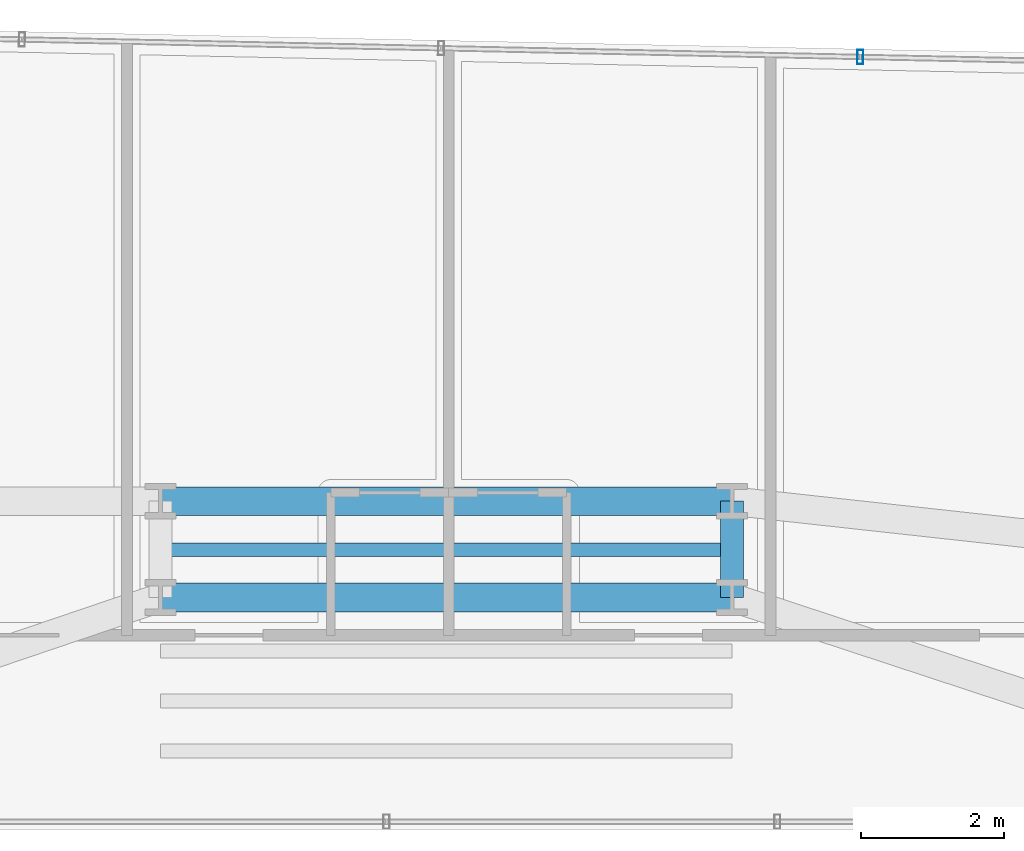
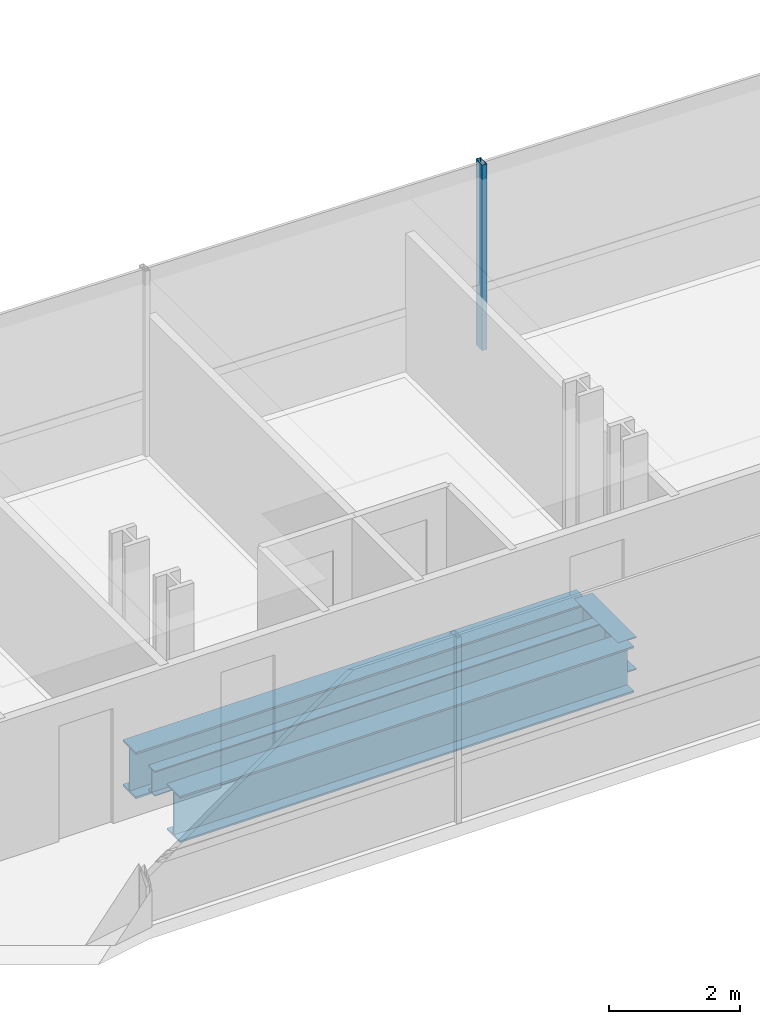
# One storey, part 21 of 40: 4 beams, 1 member, 1 element without a shape of its own.
"""IFC4 building model written with IfcOpenShell, lengths in metres."""

from ifc_helpers import new_model, si_unit, direction, frame, origin, origin_2d, place, context, subcontext, project, spatial, hollow_rectangle, i_section, extrude, source, transform, mapped, material, material_profile, profile_set, type_object, element, aggregate, save


model = new_model("IFC4")

# Units and contexts
model_context = context("Model", 3, precision=1e-05, world=origin(), true_north=direction((0.0, 1.0)))
body_context = subcontext(model_context, "Body", "Model", "MODEL_VIEW")
ifc_project = project(units=[si_unit("LENGTHUNIT", "METRE"), si_unit("AREAUNIT", "SQUARE_METRE"), si_unit("VOLUMEUNIT", "CUBIC_METRE"), si_unit("PLANEANGLEUNIT", "RADIAN"), si_unit("MASSUNIT", "GRAM", prefix="KILO")], contexts=[model_context])

# Site, building, storey
site_placement = place(None, origin())
site = spatial("IfcSite", under=ifc_project, at=site_placement, CompositionType="ELEMENT")
building_placement = place(site_placement, origin())
building = spatial("IfcBuilding", under=site, at=building_placement, Name="Valdorenza Pilgrim Sanctuary Tower", CompositionType="ELEMENT")
storey_placement = place(building_placement, frame((0.0, 0.0, 92.60009765625)))
storey = spatial("IfcBuildingStorey", under=building, at=storey_placement, Name="L23", CompositionType="ELEMENT", Elevation=92.60009765625)

# Beams
ifc_material_1 = material(Name="Steel ASTM A992 Grade 50", Category="steel")
ifc_material_profile_1 = material_profile(ifc_material_1, i_section(OverallWidth=0.39990234375, OverallDepth=0.862060546875, WebThickness=0.019775390625, FlangeThickness=0.032470703125, at=origin_2d()), Name="W33X221")
ifc_profile_set_1 = profile_set([ifc_material_profile_1], Name="Steel ASTM A992 Grade 50")
beam_type_1 = type_object("IfcBeamType", Name="STR-BM-GRD-W33", PredefinedType="BEAM", material=ifc_profile_set_1)
shared_shape_1 = source(origin(), body_context, "Body", "SweptSolid", [
    extrude(i_section(OverallWidth=0.39990234375, OverallDepth=0.862060546875, WebThickness=0.019775390625, FlangeThickness=0.032470703125, at=origin_2d()), origin(), (0.0, 0.0, 1.0), 8.0),
])
for number, where, z_axis, x_axis, name in (
    (1, (-4.0, 13.449951171875, -0.671142578125), (1.0, 0.0, 0.0), (0.0, 1.0, 0.0), "L23 Floor Girder KNK-G2"),
    (2, (-4.0, 14.800048828125, -0.671142578125), (1.0, 0.0, 0.0), (0.0, 1.0, 0.0), "L23 Floor Girder KNK-G5"),
):
    element("IfcBeam", number, at=place(storey_placement, frame(where, z_axis=z_axis, x_axis=x_axis)), inside=storey, type_object=beam_type_1, Name=name, PredefinedType="BEAM", context=body_context, shape_type="MappedRepresentation", body=[
        mapped(shared_shape_1, transform((0.0, 0.0, 0.0), x_axis=(1.0, 0.0, 0.0), y_axis=(0.0, 1.0, 0.0), z_axis=(0.0, 0.0, 1.0), scale=1.0)),
    ])
ifc_material_profile_2 = material_profile(ifc_material_1, i_section(OverallWidth=0.323974609375, OverallDepth=0.611083984375, WebThickness=0.0126953125, FlangeThickness=0.01904296875, at=origin_2d()), Name="W24X104")
ifc_profile_set_2 = profile_set([ifc_material_profile_2], Name="Steel ASTM A992 Grade 50")
beam_type_2 = type_object("IfcBeamType", Name="STR-BM-GRD-W24B", PredefinedType="BEAM", material=ifc_profile_set_2)
shared_shape_2 = source(origin(), body_context, "Body", "SweptSolid", [
    extrude(i_section(OverallWidth=0.323974609375, OverallDepth=0.611083984375, WebThickness=0.0126953125, FlangeThickness=0.01904296875, at=origin_2d()), origin(), (0.0, 0.0, 1.0), 1.35009765625),
])
beam_1_placement = place(storey_placement, frame((4.0, 13.449951171875, -0.545654296875), z_axis=(0.0, 1.0, 0.0), x_axis=(-1.0, 0.0, 0.0)))
element("IfcBeam", 3, at=beam_1_placement, inside=storey, type_object=beam_type_2, Name="L23 Floor Girder KNK-TIE-E", PredefinedType="BEAM", context=body_context, shape_type="MappedRepresentation", body=[
    mapped(shared_shape_2, transform((0.0, 0.0, 0.0), x_axis=(1.0, 0.0, 0.0), y_axis=(0.0, 1.0, 0.0), z_axis=(0.0, 0.0, 1.0), scale=1.0)),
])
ifc_material_profile_3 = material_profile(ifc_material_1, i_section(OverallWidth=0.193115234375, OverallDepth=0.466064453125, WebThickness=0.011474609375, FlangeThickness=0.01904296875, at=origin_2d()), Name="W18X65")
ifc_profile_set_3 = profile_set([ifc_material_profile_3], Name="Steel ASTM A992 Grade 50")
beam_type_3 = type_object("IfcBeamType", Name="STR-BM-JST-W18A", PredefinedType="JOIST", material=ifc_profile_set_3)
shared_shape_3 = source(origin(), body_context, "Body", "SweptSolid", [
    extrude(i_section(OverallWidth=0.193115234375, OverallDepth=0.466064453125, WebThickness=0.011474609375, FlangeThickness=0.01904296875, at=origin_2d()), origin(), (0.0, 0.0, 1.0), 8.0),
])
beam_2_placement = place(storey_placement, frame((-4.0, 14.1201171875, -0.47314453125), z_axis=(1.0, 0.0, 0.0), x_axis=(0.0, 1.0, 0.0)))
element("IfcBeam", 4, at=beam_2_placement, inside=storey, type_object=beam_type_3, Name="L23 Knuckle Composite Joist JST-KNK-4", PredefinedType="JOIST", context=body_context, shape_type="MappedRepresentation", body=[
    mapped(shared_shape_3, transform((0.0, 0.0, 0.0), x_axis=(1.0, 0.0, 0.0), y_axis=(0.0, 1.0, 0.0), z_axis=(0.0, 0.0, 1.0), scale=1.0)),
])

# Curtain wall, member
ifc_material_2 = material(Name="Curtain-wall IGU glazing", Category="glass")
curtain_wall_type = type_object("IfcCurtainWallType", Name="CW-SYS-02", PredefinedType="NOTDEFINED", material=ifc_material_2)
curtain_wall_placement = place(storey_placement, origin())
curtain_wall = element("IfcCurtainWall", 5, at=curtain_wall_placement, inside=storey, type_object=curtain_wall_type, Name="L23 Curtain Wall CW-L23-1-11", PredefinedType="NOTDEFINED")
ifc_material_3 = material(Name="Anodised aluminium AW-6060", Category="aluminium")
ifc_material_profile_4 = material_profile(ifc_material_3, hollow_rectangle(XDim=0.0849609375, YDim=0.199951171875, WallThickness=0.0048828125, at=origin_2d()), Name="ALU-M 200x85x5")
ifc_profile_set_4 = profile_set([ifc_material_profile_4], Name="Anodised aluminium AW-6060")
member_type = type_object("IfcMemberType", Name="CW-MUL-02", PredefinedType="MULLION", material=ifc_profile_set_4)
shared_shape_4 = source(origin(), body_context, "Body", "SweptSolid", [
    extrude(hollow_rectangle(XDim=0.0849609375, YDim=0.199951171875, WallThickness=0.0048828125, at=origin_2d()), origin(), (0.0, 0.0, 1.0), 3.4599609375),
])
member_placement = place(storey_placement, frame((5.797119140625, 21.019287109375, 0.0), z_axis=(0.0, 0.0, 1.0), x_axis=(0.999783234613, -0.020820273474, 0.0)))
member = element("IfcMember", 6, at=member_placement, type_object=member_type, Name="CW-L23-1-11 Mullion 4", PredefinedType="MULLION", context=body_context, shape_type="MappedRepresentation", body=[
    mapped(shared_shape_4, transform((0.0, 0.0, 0.0), x_axis=(1.0, 0.0, 0.0), y_axis=(0.0, 1.0, 0.0), z_axis=(0.0, 0.0, 1.0), scale=1.0)),
])
aggregate(curtain_wall, [member])

save(model, "model.ifc")
